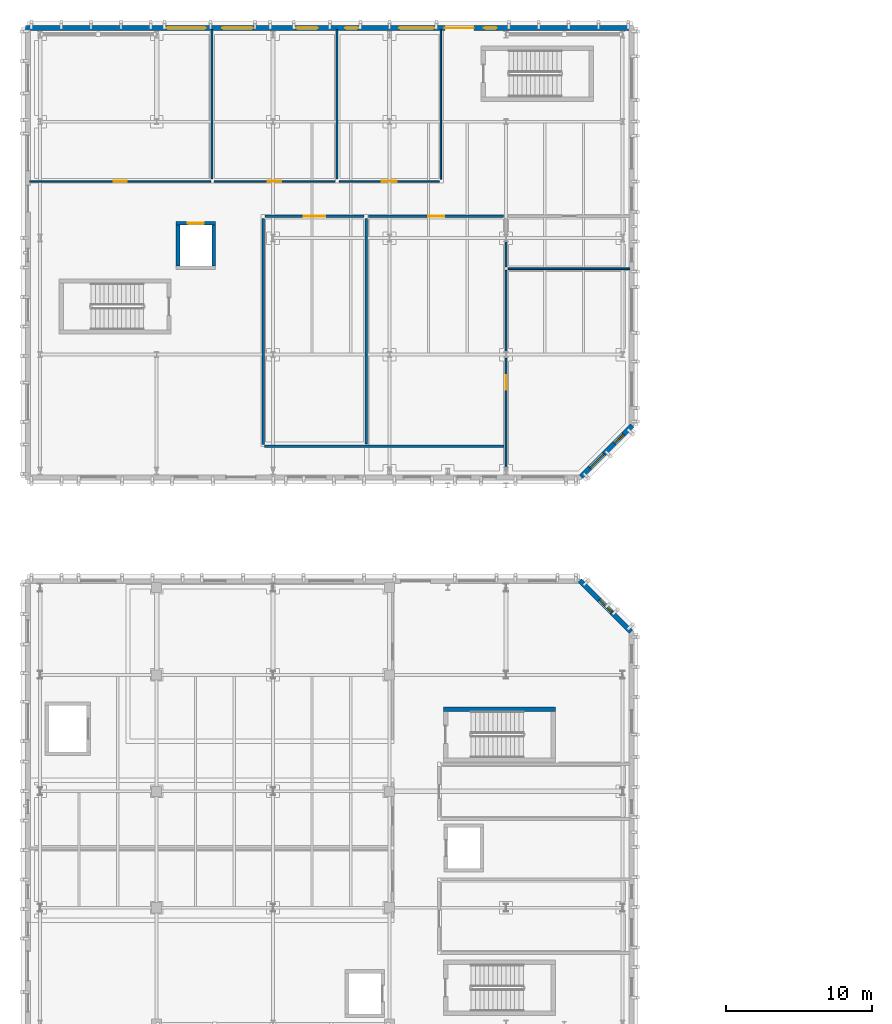
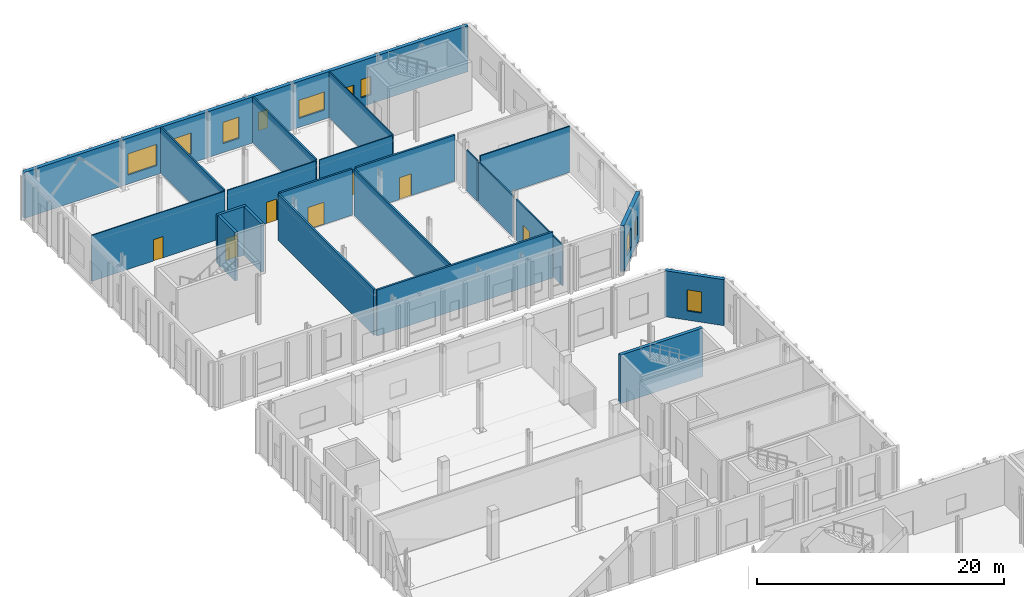
# One storey, part 30 of 60: 22 walls, 9 windows, 8 doors, 17 openings.
"""IFC4 building model written with IfcOpenShell, lengths in metres."""

from ifc_helpers import new_model, si_unit, direction, frame, frame_2d, origin, place, context, subcontext, project, spatial, rectangle, extrude, material, layer, layer_set, type_object, element, fill, save


model = new_model("IFC4")

# Units and contexts
model_context = context("Model", 3, precision=1e-05, world=origin(), true_north=direction((0.0, 1.0)))
body_context = subcontext(model_context, "Body", "Model", "MODEL_VIEW")
ifc_project = project(units=[si_unit("LENGTHUNIT", "METRE"), si_unit("AREAUNIT", "SQUARE_METRE"), si_unit("VOLUMEUNIT", "CUBIC_METRE"), si_unit("PLANEANGLEUNIT", "RADIAN"), si_unit("MASSUNIT", "GRAM", prefix="KILO")], contexts=[model_context])

# Site, building, storey
site_placement = place(None, origin())
site = spatial("IfcSite", under=ifc_project, at=site_placement, CompositionType="ELEMENT")
building_placement = place(site_placement, origin())
building = spatial("IfcBuilding", under=site, at=building_placement, Name="Cymarion Research Institute", CompositionType="ELEMENT")
storey_placement = place(building_placement, origin())
storey = spatial("IfcBuildingStorey", under=building, at=storey_placement, Name="L00", CompositionType="ELEMENT", Elevation=0.0)

# Wall, opening, window
ifc_material_1 = material(Name="Precast concrete C40/50", Category="concrete")
ifc_layer_1 = layer(ifc_material_1, 0.340087890625)
ifc_layer_set_1 = layer_set([ifc_layer_1], Name="Precast concrete C40/50")
wall_type_1 = type_object("IfcWallType", Name="EXTERIOR WALL EW-PC340 340MM", PredefinedType="SOLIDWALL", material=ifc_layer_set_1)
wall_1_placement = place(storey_placement, frame((47.19287109375, 74.466552734375, 0.0), z_axis=(0.0, 0.0, 1.0), x_axis=(-0.707106781187, 0.707106781187, 0.0)))
wall_1 = element("IfcWall", 1, at=wall_1_placement, inside=storey, type_object=wall_type_1, Name="L00 V4 exterior wall EW-PC340 #67", PredefinedType="SOLIDWALL", context=body_context, shape_type="SweptSolid", body=[
    extrude(rectangle(XDim=4.968505859375, YDim=0.340087890625, at=frame_2d((2.484375, 0.0))), origin(), (0.0, 0.0, 1.0), 4.550048828125),
])
opening_1_placement = place(wall_1_placement, frame((1.884033203125, 0.0, 0.89990234375)))
opening_1 = element("IfcOpeningElement", 2, at=opening_1_placement, cuts=wall_1, Name="Opening W08", PredefinedType="OPENING", context=body_context, shape_type="SweptSolid", body=[
    extrude(rectangle(XDim=1.199951171875, YDim=2.10009765625, at=frame_2d((0.60009765625, 1.050048828125))), frame((0.0, 0.179931640625, 0.0), z_axis=(0.0, -1.0, 0.0), x_axis=(1.0, 0.0, 0.0)), (0.0, 0.0, 1.0), 0.360107421875),
])
ifc_material_2 = material(Name="Thermally broken aluminium window with Low-E glazing", Category="aluminium")
window_type_1 = type_object("IfcWindowType", Name="THERMALLY BROKEN ALUMINIUM WINDOW W08 1200X2100", PartitioningType="SINGLE_PANEL", PredefinedType="WINDOW", material=ifc_material_2)
window_1_placement = place(opening_1_placement, origin())
window_1 = element("IfcWindow", 3, at=window_1_placement, inside=storey, type_object=window_type_1, Name="L00 V4 facade window W08 #107", OverallHeight=2.10009765625, OverallWidth=1.199951171875, PartitioningType="SINGLE_PANEL", PredefinedType="WINDOW", context=body_context, shape_type="SweptSolid", body=[
    extrude(rectangle(XDim=1.199951171875, YDim=2.10009765625, at=frame_2d((0.60009765625, 1.050048828125))), frame((0.0, 0.030029296875, 0.0), z_axis=(0.0, -1.0, 0.0), x_axis=(1.0, 0.0, 0.0)), (0.0, 0.0, 1.0), 0.06005859375),
])
fill(opening_1, window_1)

# Wall, openings, windows
wall_2_placement = place(storey_placement, frame((43.7666015625, 85.107177734375, 0.0), z_axis=(0.0, 0.0, 1.0), x_axis=(0.707131350994, 0.707082210525, 0.0)))
wall_2 = element("IfcWall", 4, at=wall_2_placement, inside=storey, type_object=wall_type_1, Name="L00 V5 exterior wall EW-PC340 #71", PredefinedType="SOLIDWALL", context=body_context, shape_type="SweptSolid", body=[
    extrude(rectangle(XDim=4.96826171875, YDim=0.340087890625, at=frame_2d((2.484130859375, 0.0))), origin(), (0.0, 0.0, 1.0), 4.550048828125),
])
opening_2_placement = place(wall_2_placement, frame((0.85595703125, 0.0, 0.89990234375)))
opening_2 = element("IfcOpeningElement", 5, at=opening_2_placement, cuts=wall_2, Name="Opening W27", PredefinedType="OPENING", context=body_context, shape_type="SweptSolid", body=[
    extrude(rectangle(XDim=1.35009765625, YDim=1.949951171875, at=frame_2d((0.675048828125, 0.97509765625))), frame((0.0, 0.179931640625, 0.0), z_axis=(0.0, -1.0, 0.0), x_axis=(1.0, 0.0, 0.0)), (0.0, 0.0, 1.0), 0.360107421875),
])
opening_3_placement = place(wall_2_placement, frame((3.22509765625, 0.0, 0.89990234375)))
opening_3 = element("IfcOpeningElement", 6, at=opening_3_placement, cuts=wall_2, Name="Opening W24", PredefinedType="OPENING", context=body_context, shape_type="SweptSolid", body=[
    extrude(rectangle(XDim=0.89990234375, YDim=1.800048828125, at=frame_2d((0.449951171875, 0.89990234375))), frame((0.0, 0.179931640625, 0.0), z_axis=(0.0, -1.0, 0.0), x_axis=(1.0, 0.0, 0.0)), (0.0, 0.0, 1.0), 0.360107421875),
])
window_type_2 = type_object("IfcWindowType", Name="THERMALLY BROKEN ALUMINIUM WINDOW W24 900X1800", PartitioningType="SINGLE_PANEL", PredefinedType="WINDOW", material=ifc_material_2)
window_2_placement = place(opening_3_placement, origin())
window_2 = element("IfcWindow", 7, at=window_2_placement, inside=storey, type_object=window_type_2, Name="L00 V5 facade window W24 #128", OverallHeight=1.800048828125, OverallWidth=0.89990234375, PartitioningType="SINGLE_PANEL", PredefinedType="WINDOW", context=body_context, shape_type="SweptSolid", body=[
    extrude(rectangle(XDim=0.89990234375, YDim=1.800048828125, at=frame_2d((0.449951171875, 0.89990234375))), frame((0.0, 0.030029296875, 0.0), z_axis=(0.0, -1.0, 0.0), x_axis=(1.0, 0.0, 0.0)), (0.0, 0.0, 1.0), 0.06005859375),
])
fill(opening_3, window_2)
window_type_3 = type_object("IfcWindowType", Name="THERMALLY BROKEN ALUMINIUM WINDOW W27 1350X1950", PartitioningType="SINGLE_PANEL", PredefinedType="WINDOW", material=ifc_material_2)
window_3_placement = place(opening_2_placement, origin())
window_3 = element("IfcWindow", 8, at=window_3_placement, inside=storey, type_object=window_type_3, Name="L00 V5 facade window W27 #127", OverallHeight=1.949951171875, OverallWidth=1.35009765625, PartitioningType="SINGLE_PANEL", PredefinedType="WINDOW", context=body_context, shape_type="SweptSolid", body=[
    extrude(rectangle(XDim=1.35009765625, YDim=1.949951171875, at=frame_2d((0.675048828125, 0.97509765625))), frame((0.0, 0.030029296875, 0.0), z_axis=(0.0, -1.0, 0.0), x_axis=(1.0, 0.0, 0.0)), (0.0, 0.0, 1.0), 0.06005859375),
])
fill(opening_2, window_3)

# Wall, openings, door, windows
wall_3_placement = place(storey_placement, frame((47.077880859375, 115.929931640625, 0.0), z_axis=(0.0, 0.0, 1.0), x_axis=(-1.0, 0.0, 0.0)))
wall_3 = element("IfcWall", 9, at=wall_3_placement, inside=storey, type_object=wall_type_1, Name="L00 V5 exterior wall EW-PC340 #73", PredefinedType="SOLIDWALL", context=body_context, shape_type="SweptSolid", body=[
    extrude(rectangle(XDim=41.477783203125, YDim=0.340087890625, at=frame_2d((20.73876953125, 0.0))), origin(), (0.0, 0.0, 1.0), 4.550048828125),
])
opening_4_placement = place(wall_3_placement, frame((10.677978515625, 0.0, 0.0)))
opening_4 = element("IfcOpeningElement", 10, at=opening_4_placement, cuts=wall_3, Name="Opening D-EX17", PredefinedType="OPENING", context=body_context, shape_type="SweptSolid", body=[
    extrude(rectangle(XDim=2.0, YDim=2.39990234375, at=frame_2d((1.0, 1.199951171875))), frame((0.0, 0.179931640625, 0.0), z_axis=(0.0, -1.0, 0.0), x_axis=(1.0, 0.0, 0.0)), (0.0, 0.0, 1.0), 0.360107421875),
])
opening_5_placement = place(wall_3_placement, frame((9.10302734375, 0.0, 0.89990234375)))
opening_5 = element("IfcOpeningElement", 11, at=opening_5_placement, cuts=wall_3, Name="Opening W24", PredefinedType="OPENING", context=body_context, shape_type="SweptSolid", body=[
    extrude(rectangle(XDim=0.89990234375, YDim=1.800048828125, at=frame_2d((0.449951171875, 0.89990234375))), frame((0.0, 0.179931640625, 0.0), z_axis=(0.0, -1.0, 0.0), x_axis=(1.0, 0.0, 0.0)), (0.0, 0.0, 1.0), 0.360107421875),
])
opening_6_placement = place(wall_3_placement, frame((13.4130859375, 0.0, 0.89990234375)))
opening_6 = element("IfcOpeningElement", 12, at=opening_6_placement, cuts=wall_3, Name="Opening W05", PredefinedType="OPENING", context=body_context, shape_type="SweptSolid", body=[
    extrude(rectangle(XDim=2.39990234375, YDim=1.800048828125, at=frame_2d((1.199951171875, 0.89990234375))), frame((0.0, 0.179931640625, 0.0), z_axis=(0.0, -1.0, 0.0), x_axis=(1.0, 0.0, 0.0)), (0.0, 0.0, 1.0), 0.360107421875),
])
opening_7_placement = place(wall_3_placement, frame((18.6279296875, 0.0, 0.89990234375)))
opening_7 = element("IfcOpeningElement", 13, at=opening_7_placement, cuts=wall_3, Name="Opening W24", PredefinedType="OPENING", context=body_context, shape_type="SweptSolid", body=[
    extrude(rectangle(XDim=0.89990234375, YDim=1.800048828125, at=frame_2d((0.449951171875, 0.89990234375))), frame((0.0, 0.179931640625, 0.0), z_axis=(0.0, -1.0, 0.0), x_axis=(1.0, 0.0, 0.0)), (0.0, 0.0, 1.0), 0.360107421875),
])
opening_8_placement = place(wall_3_placement, frame((21.407958984375, 0.0, 0.89990234375)))
opening_8 = element("IfcOpeningElement", 14, at=opening_8_placement, cuts=wall_3, Name="Opening W09", PredefinedType="OPENING", context=body_context, shape_type="SweptSolid", body=[
    extrude(rectangle(XDim=1.5, YDim=2.10009765625, at=frame_2d((0.75, 1.050048828125))), frame((0.0, 0.179931640625, 0.0), z_axis=(0.0, -1.0, 0.0), x_axis=(1.0, 0.0, 0.0)), (0.0, 0.0, 1.0), 0.360107421875),
])
opening_9_placement = place(wall_3_placement, frame((25.867919921875, 0.0, 0.89990234375)))
opening_9 = element("IfcOpeningElement", 15, at=opening_9_placement, cuts=wall_3, Name="Opening W11", PredefinedType="OPENING", context=body_context, shape_type="SweptSolid", body=[
    extrude(rectangle(XDim=2.10009765625, YDim=2.10009765625, at=frame_2d((1.050048828125, 1.050048828125))), frame((0.0, 0.179931640625, 0.0), z_axis=(0.0, -1.0, 0.0), x_axis=(1.0, 0.0, 0.0)), (0.0, 0.0, 1.0), 0.360107421875),
])
opening_10_placement = place(wall_3_placement, frame((29.097900390625, 0.0, 0.89990234375)))
opening_10 = element("IfcOpeningElement", 16, at=opening_10_placement, cuts=wall_3, Name="Opening W13", PredefinedType="OPENING", context=body_context, shape_type="SweptSolid", body=[
    extrude(rectangle(XDim=2.699951171875, YDim=2.10009765625, at=frame_2d((1.35009765625, 1.050048828125))), frame((0.0, 0.179931640625, 0.0), z_axis=(0.0, -1.0, 0.0), x_axis=(1.0, 0.0, 0.0)), (0.0, 0.0, 1.0), 0.360107421875),
])
ifc_material_3 = material(Name="Thermally broken anodised aluminium glazed door", Category="aluminium")
door_type_1 = type_object("IfcDoorType", Name="GLAZED ALUMINIUM DOUBLE EXIT DOOR DT-EX200 2000X2400", OperationType="DOUBLE_DOOR_SINGLE_SWING", PredefinedType="DOOR", material=ifc_material_3)
door_1_placement = place(opening_4_placement, frame((2.0, 0.0, 0.0), z_axis=(0.0, 0.0, 1.0), x_axis=(-1.0, 0.0, 0.0)))
door_1 = element("IfcDoor", 17, at=door_1_placement, inside=storey, type_object=door_type_1, Name="L00 V5 Final Exit Door D-EX17", OperationType="DOUBLE_DOOR_SINGLE_SWING", OverallHeight=2.39990234375, OverallWidth=2.0, PredefinedType="DOOR", context=body_context, shape_type="SweptSolid", body=[
    extrude(rectangle(XDim=2.0, YDim=2.39990234375, at=frame_2d((1.0, 1.199951171875))), frame((0.0, 0.02490234375, 0.0), z_axis=(0.0, -1.0, 0.0), x_axis=(1.0, 0.0, 0.0)), (0.0, 0.0, 1.0), 0.050048828125),
])
fill(opening_4, door_1)
window_type_4 = type_object("IfcWindowType", Name="THERMALLY BROKEN ALUMINIUM WINDOW W05 2400X1800", PartitioningType="TRIPLE_PANEL_VERTICAL", PredefinedType="WINDOW", material=ifc_material_2)
window_4_placement = place(opening_6_placement, origin())
window_4 = element("IfcWindow", 18, at=window_4_placement, inside=storey, type_object=window_type_4, Name="L00 V5 facade window W05 #136", OverallHeight=1.800048828125, OverallWidth=2.39990234375, PartitioningType="SINGLE_PANEL", PredefinedType="WINDOW", context=body_context, shape_type="SweptSolid", body=[
    extrude(rectangle(XDim=2.39990234375, YDim=1.800048828125, at=frame_2d((1.199951171875, 0.89990234375))), frame((0.0, 0.030029296875, 0.0), z_axis=(0.0, -1.0, 0.0), x_axis=(1.0, 0.0, 0.0)), (0.0, 0.0, 1.0), 0.06005859375),
])
fill(opening_6, window_4)
window_type_5 = type_object("IfcWindowType", Name="THERMALLY BROKEN ALUMINIUM WINDOW W09 1500X2100", PartitioningType="DOUBLE_PANEL_VERTICAL", PredefinedType="WINDOW", material=ifc_material_2)
window_5_placement = place(opening_8_placement, origin())
window_5 = element("IfcWindow", 19, at=window_5_placement, inside=storey, type_object=window_type_5, Name="L00 V5 facade window W09 #138", OverallHeight=2.10009765625, OverallWidth=1.5, PartitioningType="SINGLE_PANEL", PredefinedType="WINDOW", context=body_context, shape_type="SweptSolid", body=[
    extrude(rectangle(XDim=1.5, YDim=2.10009765625, at=frame_2d((0.75, 1.050048828125))), frame((0.0, 0.030029296875, 0.0), z_axis=(0.0, -1.0, 0.0), x_axis=(1.0, 0.0, 0.0)), (0.0, 0.0, 1.0), 0.06005859375),
])
fill(opening_8, window_5)
window_type_6 = type_object("IfcWindowType", Name="THERMALLY BROKEN ALUMINIUM WINDOW W11 2100X2100", PartitioningType="DOUBLE_PANEL_VERTICAL", PredefinedType="WINDOW", material=ifc_material_2)
window_6_placement = place(opening_9_placement, origin())
window_6 = element("IfcWindow", 20, at=window_6_placement, inside=storey, type_object=window_type_6, Name="L00 V5 facade window W11 #139", OverallHeight=2.10009765625, OverallWidth=2.10009765625, PartitioningType="SINGLE_PANEL", PredefinedType="WINDOW", context=body_context, shape_type="SweptSolid", body=[
    extrude(rectangle(XDim=2.10009765625, YDim=2.10009765625, at=frame_2d((1.050048828125, 1.050048828125))), frame((0.0, 0.030029296875, 0.0), z_axis=(0.0, -1.0, 0.0), x_axis=(1.0, 0.0, 0.0)), (0.0, 0.0, 1.0), 0.06005859375),
])
fill(opening_9, window_6)
window_type_7 = type_object("IfcWindowType", Name="THERMALLY BROKEN ALUMINIUM WINDOW W13 2700X2100", PartitioningType="TRIPLE_PANEL_VERTICAL", PredefinedType="WINDOW", material=ifc_material_2)
window_7_placement = place(opening_10_placement, origin())
window_7 = element("IfcWindow", 21, at=window_7_placement, inside=storey, type_object=window_type_7, Name="L00 V5 facade window W13 #140", OverallHeight=2.10009765625, OverallWidth=2.699951171875, PartitioningType="SINGLE_PANEL", PredefinedType="WINDOW", context=body_context, shape_type="SweptSolid", body=[
    extrude(rectangle(XDim=2.699951171875, YDim=2.10009765625, at=frame_2d((1.35009765625, 1.050048828125))), frame((0.0, 0.030029296875, 0.0), z_axis=(0.0, -1.0, 0.0), x_axis=(1.0, 0.0, 0.0)), (0.0, 0.0, 1.0), 0.06005859375),
])
fill(opening_10, window_7)
window_8_placement = place(opening_5_placement, origin())
window_8 = element("IfcWindow", 22, at=window_8_placement, inside=storey, type_object=window_type_2, Name="L00 V5 facade window W24 #135", OverallHeight=1.800048828125, OverallWidth=0.89990234375, PartitioningType="SINGLE_PANEL", PredefinedType="WINDOW", context=body_context, shape_type="SweptSolid", body=[
    extrude(rectangle(XDim=0.89990234375, YDim=1.800048828125, at=frame_2d((0.449951171875, 0.89990234375))), frame((0.0, 0.030029296875, 0.0), z_axis=(0.0, -1.0, 0.0), x_axis=(1.0, 0.0, 0.0)), (0.0, 0.0, 1.0), 0.06005859375),
])
fill(opening_5, window_8)
window_9_placement = place(opening_7_placement, origin())
window_9 = element("IfcWindow", 23, at=window_9_placement, inside=storey, type_object=window_type_2, Name="L00 V5 facade window W24 #137", OverallHeight=1.800048828125, OverallWidth=0.89990234375, PartitioningType="SINGLE_PANEL", PredefinedType="WINDOW", context=body_context, shape_type="SweptSolid", body=[
    extrude(rectangle(XDim=0.89990234375, YDim=1.800048828125, at=frame_2d((0.449951171875, 0.89990234375))), frame((0.0, 0.030029296875, 0.0), z_axis=(0.0, -1.0, 0.0), x_axis=(1.0, 0.0, 0.0)), (0.0, 0.0, 1.0), 0.06005859375),
])
fill(opening_7, window_9)

# Walls
ifc_material_4 = material(Name="Gypsum acoustic double-stud partition", Category="gypsum")
ifc_layer_2 = layer(ifc_material_4, 0.14990234375)
ifc_layer_set_2 = layer_set([ifc_layer_2], Name="Gypsum acoustic double-stud partition")
wall_type_2 = type_object("IfcWallType", Name="INTERIOR PARTITION IW-AC150 150MM", PredefinedType="PARTITIONING", material=ifc_layer_set_2)
wall_4_placement = place(storey_placement, frame((29.0, 87.360107421875, 0.0), z_axis=(0.0, 0.0, 1.0), x_axis=(0.0, 1.0, 0.0)))
element("IfcWall", 24, at=wall_4_placement, inside=storey, type_object=wall_type_2, Name="L00 V5 interior partition IW-AC150 #95", PredefinedType="PARTITIONING", context=body_context, shape_type="SweptSolid", body=[
    extrude(rectangle(XDim=15.47998046875, YDim=0.14990234375, at=frame_2d((7.739990234375, 0.0))), origin(), (0.0, 0.0, 1.0), 4.550048828125),
])
for number, where, z_axis, x_axis, name in (
    (25, (18.39990234375, 105.56005859375, 0.0), (0.0, 0.0, 1.0), (0.0, 1.0, 0.0), "L00 V5 interior partition IW-AC150 #104"),
    (26, (27.0, 105.56005859375, 0.0), (0.0, 0.0, 1.0), (0.0, 1.0, 0.0), "L00 V5 interior partition IW-AC150 #105"),
):
    element("IfcWall", number, at=place(storey_placement, frame(where, z_axis=z_axis, x_axis=x_axis)), inside=storey, type_object=wall_type_2, Name=name, PredefinedType="PARTITIONING", context=body_context, shape_type="SweptSolid", body=[
        extrude(rectangle(XDim=10.2548828125, YDim=0.14990234375, at=frame_2d((5.12744140625, 0.0))), origin(), (0.0, 0.0, 1.0), 4.550048828125),
    ])
ifc_material_5 = material(Name="Framed acoustic glass laboratory screen", Category="glass")
ifc_layer_3 = layer(ifc_material_5, 0.10009765625)
ifc_layer_set_3 = layer_set([ifc_layer_3], Name="Framed acoustic glass laboratory screen")
wall_type_3 = type_object("IfcWallType", Name="INTERIOR PARTITION IW-GL100 100MM", PredefinedType="PARTITIONING", material=ifc_layer_set_3)
wall_5_placement = place(storey_placement, frame((34.1201171875, 105.5400390625, 0.0), z_axis=(0.0, 0.0, 1.0), x_axis=(0.0, 1.0, 0.0)))
element("IfcWall", 27, at=wall_5_placement, inside=storey, type_object=wall_type_3, Name="L00 V5 interior partition IW-GL100 #106", PredefinedType="PARTITIONING", context=body_context, shape_type="SweptSolid", body=[
    extrude(rectangle(XDim=10.27490234375, YDim=0.10009765625, at=frame_2d((5.137451171875, 0.0))), origin(), (0.0, 0.0, 1.0), 4.550048828125),
])

# Wall, opening, door
wall_6_placement = place(storey_placement, frame((5.885009765625, 105.39990234375, 0.0), z_axis=(0.0, 0.0, 1.0), x_axis=(1.0, 0.0, 0.0)))
wall_6 = element("IfcWall", 28, at=wall_6_placement, inside=storey, type_object=wall_type_3, Name="L00 V5 interior partition IW-GL100 #107", PredefinedType="PARTITIONING", context=body_context, shape_type="SweptSolid", body=[
    extrude(rectangle(XDim=12.43505859375, YDim=0.10009765625, at=frame_2d((6.217529296875, 0.0))), origin(), (0.0, 0.0, 1.0), 4.550048828125),
])
opening_11_placement = place(wall_6_placement, frame((5.76708984375, 0.0, 0.0)))
opening_11 = element("IfcOpeningElement", 29, at=opening_11_placement, cuts=wall_6, Name="Opening D-L00-068", PredefinedType="OPENING", context=body_context, shape_type="SweptSolid", body=[
    extrude(rectangle(XDim=0.89990234375, YDim=2.10009765625, at=frame_2d((0.449951171875, 1.050048828125))), frame((0.0, 0.06005859375, 0.0), z_axis=(0.0, -1.0, 0.0), x_axis=(1.0, 0.0, 0.0)), (0.0, 0.0, 1.0), 0.1201171875),
])
ifc_material_6 = material(Name="Flush acoustic timber/steel door assembly", Category="steel")
door_type_2 = type_object("IfcDoorType", Name="RESEARCH WRITE-UP OFFICE DOOR DT-OF090 900X2100", OperationType="NOTDEFINED", PredefinedType="DOOR", material=ifc_material_6)
door_2_placement = place(opening_11_placement, origin())
door_2 = element("IfcDoor", 30, at=door_2_placement, inside=storey, type_object=door_type_2, Name="L00 Faculty Office W door D-L00-068", OperationType="SINGLE_SWING_LEFT", OverallHeight=2.10009765625, OverallWidth=0.89990234375, PredefinedType="DOOR", context=body_context, shape_type="SweptSolid", body=[
    extrude(rectangle(XDim=0.89990234375, YDim=2.10009765625, at=frame_2d((0.449951171875, 1.050048828125))), frame((0.0, 0.02490234375, 0.0), z_axis=(0.0, -1.0, 0.0), x_axis=(1.0, 0.0, 0.0)), (0.0, 0.0, 1.0), 0.050048828125),
])
fill(opening_11, door_2)

wall_7_placement = place(storey_placement, frame((18.56005859375, 105.39990234375, 0.0), z_axis=(0.0, 0.0, 1.0), x_axis=(1.0, 0.0, 0.0)))
wall_7 = element("IfcWall", 31, at=wall_7_placement, inside=storey, type_object=wall_type_3, Name="L00 V5 interior partition IW-GL100 #108", PredefinedType="PARTITIONING", context=body_context, shape_type="SweptSolid", body=[
    extrude(rectangle(XDim=8.280029296875, YDim=0.10009765625, at=frame_2d((4.14013671875, 0.0))), origin(), (0.0, 0.0, 1.0), 4.550048828125),
])
opening_12_placement = place(wall_7_placement, frame((3.6650390625, 0.0, 0.0)))
opening_12 = element("IfcOpeningElement", 32, at=opening_12_placement, cuts=wall_7, Name="Opening D-L00-069", PredefinedType="OPENING", context=body_context, shape_type="SweptSolid", body=[
    extrude(rectangle(XDim=0.949951171875, YDim=2.10009765625, at=frame_2d((0.47509765625, 1.050048828125))), frame((0.0, 0.06005859375, 0.0), z_axis=(0.0, -1.0, 0.0), x_axis=(1.0, 0.0, 0.0)), (0.0, 0.0, 1.0), 0.1201171875),
])
door_type_3 = type_object("IfcDoorType", Name="FACULTY STUDY DOOR DT-OF095 950X2100", OperationType="NOTDEFINED", PredefinedType="DOOR", material=ifc_material_6)
door_3_placement = place(opening_12_placement, origin())
door_3 = element("IfcDoor", 33, at=door_3_placement, inside=storey, type_object=door_type_3, Name="L00 Postdoc Write-Up door D-L00-069", OperationType="SINGLE_SWING_RIGHT", OverallHeight=2.10009765625, OverallWidth=0.949951171875, PredefinedType="DOOR", context=body_context, shape_type="SweptSolid", body=[
    extrude(rectangle(XDim=0.949951171875, YDim=2.10009765625, at=frame_2d((0.47509765625, 1.050048828125))), frame((0.0, 0.02490234375, 0.0), z_axis=(0.0, -1.0, 0.0), x_axis=(1.0, 0.0, 0.0)), (0.0, 0.0, 1.0), 0.050048828125),
])
fill(opening_12, door_3)

wall_8_placement = place(storey_placement, frame((27.159912109375, 105.39990234375, 0.0), z_axis=(0.0, 0.0, 1.0), x_axis=(1.0, 0.0, 0.0)))
wall_8 = element("IfcWall", 34, at=wall_8_placement, inside=storey, type_object=wall_type_3, Name="L00 V5 interior partition IW-GL100 #109", PredefinedType="PARTITIONING", context=body_context, shape_type="SweptSolid", body=[
    extrude(rectangle(XDim=6.840087890625, YDim=0.10009765625, at=frame_2d((3.419921875, 0.0))), origin(), (0.0, 0.0, 1.0), 4.550048828125),
])
opening_13_placement = place(wall_8_placement, frame((2.919921875, 0.0, 0.0)))
opening_13 = element("IfcOpeningElement", 35, at=opening_13_placement, cuts=wall_8, Name="Opening D-L00-070", PredefinedType="OPENING", context=body_context, shape_type="SweptSolid", body=[
    extrude(rectangle(XDim=1.0, YDim=2.14990234375, at=frame_2d((0.5, 1.074951171875))), frame((0.0, 0.06005859375, 0.0), z_axis=(0.0, -1.0, 0.0), x_axis=(1.0, 0.0, 0.0)), (0.0, 0.0, 1.0), 0.1201171875),
])
door_type_4 = type_object("IfcDoorType", Name="LABORATORY SINGLE LEAF DOOR DT-LB100 1000X2150", OperationType="NOTDEFINED", PredefinedType="DOOR", material=ifc_material_6)
door_4_placement = place(opening_13_placement, origin())
door_4 = element("IfcDoor", 36, at=door_4_placement, inside=storey, type_object=door_type_4, Name="L00 AI Visualization Lab door D-L00-070", OperationType="SINGLE_SWING_LEFT", OverallHeight=2.14990234375, OverallWidth=1.0, PredefinedType="DOOR", context=body_context, shape_type="SweptSolid", body=[
    extrude(rectangle(XDim=1.0, YDim=2.14990234375, at=frame_2d((0.5, 1.074951171875))), frame((0.0, 0.02490234375, 0.0), z_axis=(0.0, -1.0, 0.0), x_axis=(1.0, 0.0, 0.0)), (0.0, 0.0, 1.0), 0.050048828125),
])
fill(opening_13, door_4)

# Walls
ifc_material_7 = material(Name="Moisture-resistant laboratory partition", Category="gypsum")
ifc_layer_4 = layer(ifc_material_7, 0.179931640625)
ifc_layer_set_4 = layer_set([ifc_layer_4], Name="Moisture-resistant laboratory partition")
wall_type_4 = type_object("IfcWallType", Name="INTERIOR PARTITION IW-LB180 180MM", PredefinedType="PARTITIONING", material=ifc_layer_set_4)
wall_9_placement = place(storey_placement, frame((21.919921875, 87.340087890625, 0.0), z_axis=(0.0, 0.0, 1.0), x_axis=(0.0, 1.0, 0.0)))
element("IfcWall", 37, at=wall_9_placement, inside=storey, type_object=wall_type_4, Name="L00 V5 interior partition IW-LB180 #93", PredefinedType="PARTITIONING", context=body_context, shape_type="SweptSolid", body=[
    extrude(rectangle(XDim=15.52001953125, YDim=0.179931640625, at=frame_2d((7.760009765625, 0.0))), origin(), (0.0, 0.0, 1.0), 4.550048828125),
])
wall_10_placement = place(storey_placement, frame((22.0, 87.199951171875, 0.0), z_axis=(0.0, 0.0, 1.0), x_axis=(1.0, 0.0, 0.0)))
element("IfcWall", 38, at=wall_10_placement, inside=storey, type_object=wall_type_4, Name="L00 V5 interior partition IW-LB180 #94", PredefinedType="PARTITIONING", context=body_context, shape_type="SweptSolid", body=[
    extrude(rectangle(XDim=16.47998046875, YDim=0.179931640625, at=frame_2d((8.239990234375, 0.0))), origin(), (0.0, 0.0, 1.0), 4.550048828125),
])

# Wall, opening, door
wall_11_placement = place(storey_placement, frame((22.050048828125, 103.0, 0.0), z_axis=(0.0, 0.0, 1.0), x_axis=(1.0, 0.0, 0.0)))
wall_11 = element("IfcWall", 39, at=wall_11_placement, inside=storey, type_object=wall_type_4, Name="L00 V5 interior partition IW-LB180 #101", PredefinedType="PARTITIONING", context=body_context, shape_type="SweptSolid", body=[
    extrude(rectangle(XDim=6.7900390625, YDim=0.179931640625, at=frame_2d((3.39501953125, 0.0))), origin(), (0.0, 0.0, 1.0), 4.550048828125),
])
opening_14_placement = place(wall_11_placement, frame((2.64501953125, 0.0, 0.0)))
opening_14 = element("IfcOpeningElement", 40, at=opening_14_placement, cuts=wall_11, Name="Opening D-L00-065", PredefinedType="OPENING", context=body_context, shape_type="SweptSolid", body=[
    extrude(rectangle(XDim=1.5, YDim=2.199951171875, at=frame_2d((0.75, 1.10009765625))), frame((0.0, 0.099853515625, 0.0), z_axis=(0.0, -1.0, 0.0), x_axis=(1.0, 0.0, 0.0)), (0.0, 0.0, 1.0), 0.199951171875),
])
door_type_5 = type_object("IfcDoorType", Name="LABORATORY EQUIPMENT DOUBLE DOOR DT-LB150 1500X2200", OperationType="DOUBLE_DOOR_SINGLE_SWING", PredefinedType="DOOR", material=ifc_material_6)
door_5_placement = place(opening_14_placement, origin())
door_5 = element("IfcDoor", 41, at=door_5_placement, inside=storey, type_object=door_type_5, Name="L00 Dry Lab 1 door D-L00-065", OperationType="DOUBLE_DOOR_SINGLE_SWING", OverallHeight=2.199951171875, OverallWidth=1.5, PredefinedType="DOOR", context=body_context, shape_type="SweptSolid", body=[
    extrude(rectangle(XDim=1.5, YDim=2.199951171875, at=frame_2d((0.75, 1.10009765625))), frame((0.0, 0.02490234375, 0.0), z_axis=(0.0, -1.0, 0.0), x_axis=(1.0, 0.0, 0.0)), (0.0, 0.0, 1.0), 0.050048828125),
])
fill(opening_14, door_5)

wall_12_placement = place(storey_placement, frame((29.159912109375, 103.0, 0.0), z_axis=(0.0, 0.0, 1.0), x_axis=(1.0, 0.0, 0.0)))
wall_12 = element("IfcWall", 42, at=wall_12_placement, inside=storey, type_object=wall_type_4, Name="L00 V5 interior partition IW-LB180 #102", PredefinedType="PARTITIONING", context=body_context, shape_type="SweptSolid", body=[
    extrude(rectangle(XDim=9.280029296875, YDim=0.179931640625, at=frame_2d((4.64013671875, 0.0))), origin(), (0.0, 0.0, 1.0), 4.550048828125),
])
opening_15_placement = place(wall_12_placement, frame((4.090087890625, 0.0, 0.0)))
opening_15 = element("IfcOpeningElement", 43, at=opening_15_placement, cuts=wall_12, Name="Opening D-L00-066", PredefinedType="OPENING", context=body_context, shape_type="SweptSolid", body=[
    extrude(rectangle(XDim=1.10009765625, YDim=2.14990234375, at=frame_2d((0.550048828125, 1.074951171875))), frame((0.0, 0.099853515625, 0.0), z_axis=(0.0, -1.0, 0.0), x_axis=(1.0, 0.0, 0.0)), (0.0, 0.0, 1.0), 0.199951171875),
])
door_type_6 = type_object("IfcDoorType", Name="LABORATORY WIDE SINGLE DOOR DT-LB110 1100X2150", OperationType="NOTDEFINED", PredefinedType="DOOR", material=ifc_material_6)
door_6_placement = place(opening_15_placement, origin())
door_6 = element("IfcDoor", 44, at=door_6_placement, inside=storey, type_object=door_type_6, Name="L00 Server Cluster door D-L00-066", OperationType="SINGLE_SWING_LEFT", OverallHeight=2.14990234375, OverallWidth=1.10009765625, PredefinedType="DOOR", context=body_context, shape_type="SweptSolid", body=[
    extrude(rectangle(XDim=1.10009765625, YDim=2.14990234375, at=frame_2d((0.550048828125, 1.074951171875))), frame((0.0, 0.02490234375, 0.0), z_axis=(0.0, -1.0, 0.0), x_axis=(1.0, 0.0, 0.0)), (0.0, 0.0, 1.0), 0.050048828125),
])
fill(opening_15, door_6)

# Wall
ifc_material_8 = material(Name="Service riser shaft wall", Category="gypsum")
ifc_layer_5 = layer(ifc_material_8, 0.1201171875)
ifc_layer_set_5 = layer_set([ifc_layer_5], Name="Service riser shaft wall")
wall_type_5 = type_object("IfcWallType", Name="INTERIOR PARTITION IW-SH120 120MM", PredefinedType="PARTITIONING", material=ifc_layer_set_5)
wall_13_placement = place(storey_placement, frame((38.739990234375, 99.39990234375, 0.0), z_axis=(0.0, 0.0, 1.0), x_axis=(1.0, 0.0, 0.0)))
element("IfcWall", 45, at=wall_13_placement, inside=storey, type_object=wall_type_5, Name="L00 V5 interior partition IW-SH120 #96", PredefinedType="PARTITIONING", context=body_context, shape_type="SweptSolid", body=[
    extrude(rectangle(XDim=8.375, YDim=0.1201171875, at=frame_2d((4.1875, 0.0))), origin(), (0.0, 0.0, 1.0), 4.550048828125),
])

# Wall, opening, door
wall_14_placement = place(storey_placement, frame((38.60009765625, 85.75, 0.0), z_axis=(0.0, 0.0, 1.0), x_axis=(0.0, 1.0, 0.0)))
wall_14 = element("IfcWall", 46, at=wall_14_placement, inside=storey, type_object=wall_type_5, Name="L00 V5 interior partition IW-SH120 #97", PredefinedType="PARTITIONING", context=body_context, shape_type="SweptSolid", body=[
    extrude(rectangle(XDim=7.5, YDim=0.1201171875, at=frame_2d((3.75, 0.0))), origin(), (0.0, 0.0, 1.0), 4.050048828125),
])
opening_16_placement = place(wall_14_placement, frame((5.330078125, 0.0, 0.0)))
opening_16 = element("IfcOpeningElement", 47, at=opening_16_placement, cuts=wall_14, Name="Opening D-L00-064", PredefinedType="OPENING", context=body_context, shape_type="SweptSolid", body=[
    extrude(rectangle(XDim=1.0, YDim=2.14990234375, at=frame_2d((0.5, 1.074951171875))), frame((0.0, 0.070068359375, 0.0), z_axis=(0.0, -1.0, 0.0), x_axis=(1.0, 0.0, 0.0)), (0.0, 0.0, 1.0), 0.14013671875),
])
door_7_placement = place(opening_16_placement, origin())
door_7 = element("IfcDoor", 48, at=door_7_placement, inside=storey, type_object=door_type_4, Name="L00 Tape Archive door D-L00-064", OperationType="SINGLE_SWING_LEFT", OverallHeight=2.14990234375, OverallWidth=1.0, PredefinedType="DOOR", context=body_context, shape_type="SweptSolid", body=[
    extrude(rectangle(XDim=1.0, YDim=2.14990234375, at=frame_2d((0.5, 1.074951171875))), frame((0.0, 0.02490234375, 0.0), z_axis=(0.0, -1.0, 0.0), x_axis=(1.0, 0.0, 0.0)), (0.0, 0.0, 1.0), 0.050048828125),
])
fill(opening_16, door_7)

# Walls
wall_15_placement = place(storey_placement, frame((38.60009765625, 93.75, 0.0), z_axis=(0.0, 0.0, 1.0), x_axis=(0.0, 1.0, 0.0)))
element("IfcWall", 49, at=wall_15_placement, inside=storey, type_object=wall_type_5, Name="L00 V5 interior partition IW-SH120 #98", PredefinedType="PARTITIONING", context=body_context, shape_type="SweptSolid", body=[
    extrude(rectangle(XDim=5.530029296875, YDim=0.1201171875, at=frame_2d((2.76513671875, 0.0))), origin(), (0.0, 0.0, 1.0), 4.050048828125),
])
wall_16_placement = place(storey_placement, frame((38.60009765625, 99.52001953125, 0.0), z_axis=(0.0, 0.0, 1.0), x_axis=(0.0, 1.0, 0.0)))
element("IfcWall", 50, at=wall_16_placement, inside=storey, type_object=wall_type_5, Name="L00 V5 interior partition IW-SH120 #99", PredefinedType="PARTITIONING", context=body_context, shape_type="SweptSolid", body=[
    extrude(rectangle(XDim=1.72998046875, YDim=0.1201171875, at=frame_2d((0.864990234375, 0.0))), origin(), (0.0, 0.0, 1.0), 4.050048828125),
])

# Wall, opening, door
ifc_material_9 = material(Name="Concrete C40/50", Category="concrete")
ifc_layer_6 = layer(ifc_material_9, 0.25)
ifc_layer_set_6 = layer_set([ifc_layer_6], Name="Concrete C40/50")
wall_type_6 = type_object("IfcWallType", Name="REINFORCED CONCRETE CORE WALL CW-SH250 250MM", PredefinedType="SHEAR", material=ifc_layer_set_6)
wall_17_placement = place(storey_placement, frame((18.64990234375, 102.52490234375, 0.0), z_axis=(0.0, 0.0, 1.0), x_axis=(-1.0, 0.0, 0.0)))
wall_17 = element("IfcWall", 51, at=wall_17_placement, inside=storey, type_object=wall_type_6, Name="L00 LSH-LP5-L00 north core wall", PredefinedType="SHEAR", context=body_context, shape_type="SweptSolid", body=[
    extrude(rectangle(XDim=2.699951171875, YDim=0.25, at=frame_2d((1.35009765625, 0.0))), origin(), (0.0, 0.0, 1.0), 4.800048828125),
])
opening_17_placement = place(wall_17_placement, frame((0.800048828125, 0.0, 0.0)))
opening_17 = element("IfcOpeningElement", 52, at=opening_17_placement, cuts=wall_17, Name="Opening LD-LP5-L00", PredefinedType="OPENING", context=body_context, shape_type="SweptSolid", body=[
    extrude(rectangle(XDim=1.10009765625, YDim=2.14990234375, at=frame_2d((0.550048828125, 1.074951171875))), frame((0.0, 0.135009765625, 0.0), z_axis=(0.0, -1.0, 0.0), x_axis=(1.0, 0.0, 0.0)), (0.0, 0.0, 1.0), 0.27001953125),
])
ifc_material_10 = material(Name="Fire-rated insulated steel door assembly", Category="steel")
door_type_7 = type_object("IfcDoorType", Name="SLIDING LIFT LANDING DOOR DT-LD110 1100X2150", OperationType="DOUBLE_DOOR_SLIDING", PredefinedType="DOOR", material=ifc_material_10)
door_8_placement = place(opening_17_placement, origin())
door_8 = element("IfcDoor", 53, at=door_8_placement, inside=storey, type_object=door_type_7, Name="Lift LP5 landing door L00", OperationType="DOUBLE_DOOR_SLIDING", OverallHeight=2.14990234375, OverallWidth=1.10009765625, PredefinedType="DOOR", context=body_context, shape_type="SweptSolid", body=[
    extrude(rectangle(XDim=1.10009765625, YDim=2.14990234375, at=frame_2d((0.550048828125, 1.074951171875))), frame((0.0, 0.02490234375, 0.0), z_axis=(0.0, -1.0, 0.0), x_axis=(1.0, 0.0, 0.0)), (0.0, 0.0, 1.0), 0.050048828125),
])
fill(opening_17, door_8)

# Walls
for number, where, z_axis, x_axis, name in (
    (54, (16.074951171875, 102.39990234375, 0.0), (0.0, 0.0, 1.0), (0.0, -1.0, 0.0), "L00 LSH-LP5-L00 west core wall"),
    (55, (18.52490234375, 99.60009765625, 0.0), (0.0, 0.0, 1.0), (0.0, 1.0, 0.0), "L00 LSH-LP5-L00 east core wall"),
):
    element("IfcWall", number, at=place(storey_placement, frame(where, z_axis=z_axis, x_axis=x_axis)), inside=storey, type_object=wall_type_6, Name=name, PredefinedType="SHEAR", context=body_context, shape_type="SweptSolid", body=[
        extrude(rectangle(XDim=2.7998046875, YDim=0.25, at=frame_2d((1.39990234375, 0.0))), origin(), (0.0, 0.0, 1.0), 4.800048828125),
    ])
ifc_layer_7 = layer(ifc_material_9, 0.300048828125)
ifc_layer_set_7 = layer_set([ifc_layer_7], Name="Concrete C40/50")
wall_type_7 = type_object("IfcWallType", Name="REINFORCED CONCRETE CORE WALL CW-SH300 300MM", PredefinedType="SHEAR", material=ifc_layer_set_7)
wall_18_placement = place(storey_placement, frame((42.0, 69.14990234375, 0.0), z_axis=(0.0, 0.0, 1.0), x_axis=(-1.0, 0.0, 0.0)))
element("IfcWall", 56, at=wall_18_placement, inside=storey, type_object=wall_type_7, Name="L00 SHW-C8-L00 north core wall", PredefinedType="SHEAR", context=body_context, shape_type="SweptSolid", body=[
    extrude(rectangle(XDim=7.699951171875, YDim=0.300048828125, at=frame_2d((3.85009765625, 0.0))), origin(), (0.0, 0.0, 1.0), 4.800048828125),
])

save(model, "model.ifc")
